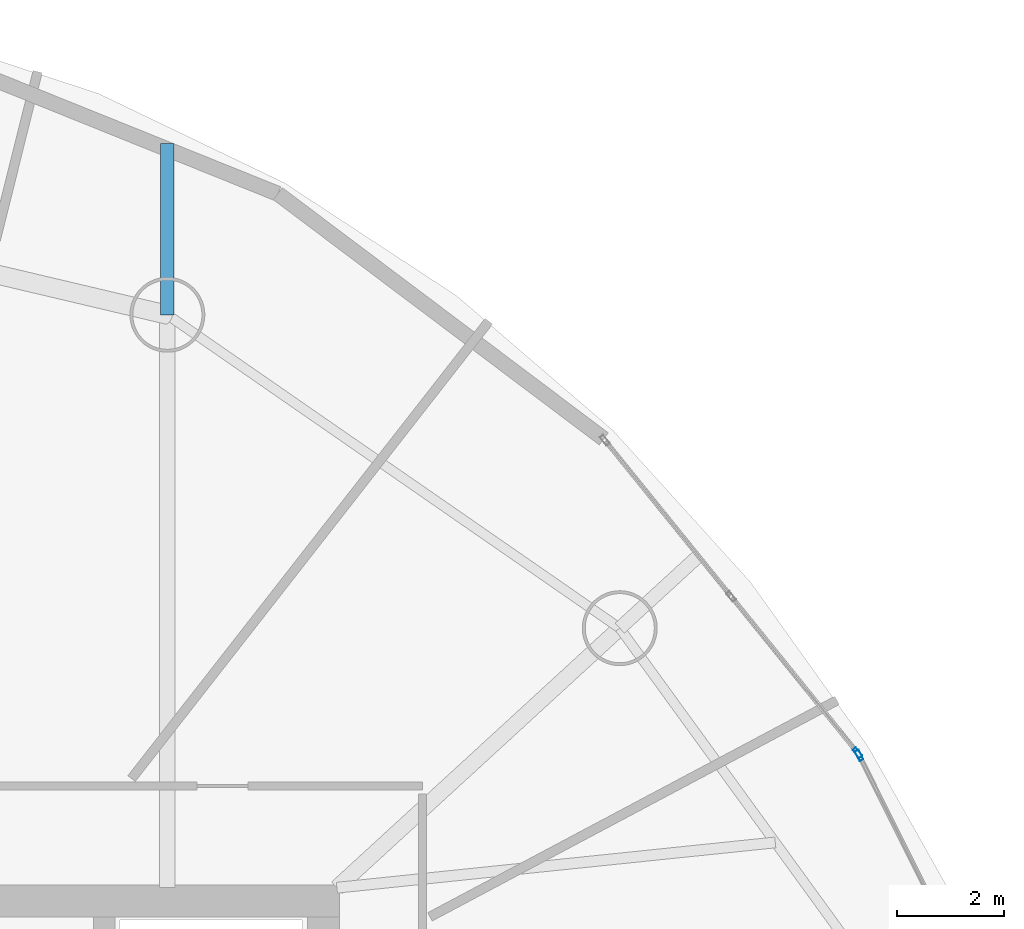
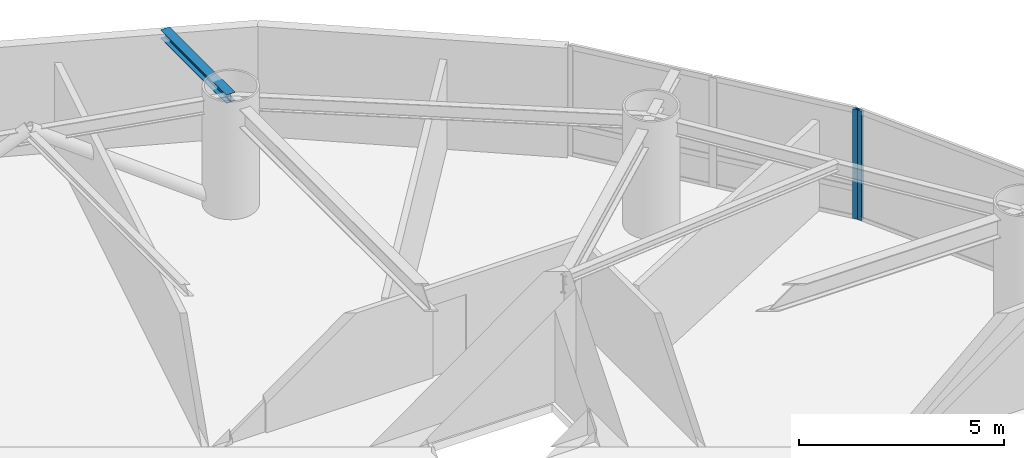
# One storey, part 16 of 24: 2 members, 1 beam, 2 elements without a shape of their own.
"""IFC4 building model written with IfcOpenShell, lengths in metres."""

from ifc_helpers import new_model, si_unit, direction, frame, origin, origin_2d, place, context, subcontext, project, spatial, hollow_rectangle, i_section, extrude, material, layer, layer_set, material_profile, profile_set, type_object, element, aggregate, save


model = new_model("IFC4")

# Units and contexts
model_context = context("Model", 3, precision=1e-05, world=origin(), true_north=direction((0.0, 1.0)))
body_context = subcontext(model_context, "Body", "Model", "MODEL_VIEW")
ifc_project = project(units=[si_unit("LENGTHUNIT", "METRE"), si_unit("AREAUNIT", "SQUARE_METRE"), si_unit("VOLUMEUNIT", "CUBIC_METRE"), si_unit("PLANEANGLEUNIT", "RADIAN"), si_unit("MASSUNIT", "GRAM", prefix="KILO")], contexts=[model_context])

# Site, building, storey
site_placement = place(None, origin())
site = spatial("IfcSite", under=ifc_project, at=site_placement, CompositionType="ELEMENT")
building_placement = place(site_placement, origin())
building = spatial("IfcBuilding", under=site, at=building_placement, Name="Bramvorn Convention Spire", CompositionType="ELEMENT")
storey_placement = place(building_placement, frame((0.0, 0.0, 148.300048828125)))
storey = spatial("IfcBuildingStorey", under=building, at=storey_placement, Name="L37", CompositionType="ELEMENT", Elevation=148.300048828125)

# Beam
ifc_material_1 = material(Name="Steel CSA G40.21 Grade 350 (350W)", Category="steel")
ifc_material_profile_1 = material_profile(ifc_material_1, i_section(OverallWidth=0.25390625, OverallDepth=0.2529296875, WebThickness=0.008544921875, FlangeThickness=0.01416015625, FilletRadius=0.011962890625, at=origin_2d()))
ifc_profile_set_1 = profile_set([ifc_material_profile_1], Name="Steel CSA G40.21 Grade 350 (350W) - W250X73")
beam_type = type_object("IfcBeamType", Name="BM-W250X73", PredefinedType="BEAM", material=ifc_profile_set_1)
beam_placement = place(storey_placement, frame((46.082763671875, 44.154052734375, 3.133544921875), z_axis=(0.0, 1.0, 0.0), x_axis=(-1.0, 0.0, 0.0)))
element("IfcBeam", 1, at=beam_placement, inside=storey, type_object=beam_type, Name="L37 slab-edge cantilever tip beam MC05", PredefinedType="BEAM", context=body_context, shape_type="SweptSolid", body=[
    extrude(i_section(OverallWidth=0.25390625, OverallDepth=0.2529296875, WebThickness=0.008544921875, FlangeThickness=0.01416015625, FilletRadius=0.011962890625, at=origin_2d()), origin(), (0.0, 0.0, 1.0), 3.199951171875),
])

# Curtain wall, member
ifc_material_2 = material(Name="Anodised Bronze Unitised Curtain Wall", Category="aluminium")
ifc_layer = layer(ifc_material_2, 0.179931640625)
ifc_layer_set = layer_set([ifc_layer], Name="Anodised Bronze Unitised Curtain Wall - CW-HTL-FRIT")
curtain_wall_type = type_object("IfcCurtainWallType", Name="CW-HTL-FRIT", PredefinedType="USERDEFINED", material=ifc_layer_set)
curtain_wall_1_placement = place(storey_placement, origin())
curtain_wall_1 = element("IfcCurtainWall", 2, at=curtain_wall_1_placement, inside=storey, type_object=curtain_wall_type, Name="L37 fritted glass curtain wall 04", ObjectType="UNITISED CURTAIN WALL", PredefinedType="USERDEFINED")
ifc_material_3 = material(Name="Anodised Bronze Aluminium 6063-T6", Category="aluminium")
ifc_material_profile_2 = material_profile(ifc_material_3, hollow_rectangle(XDim=0.080078125, YDim=0.199951171875, WallThickness=0.00390625, InnerFilletRadius=0.0009765625, OuterFilletRadius=0.00390625, at=origin_2d()))
ifc_profile_set_2 = profile_set([ifc_material_profile_2], Name="Anodised Bronze Aluminium 6063-T6 - CWM80X200")
member_type = type_object("IfcMemberType", Name="CW-MUL-180", PredefinedType="MULLION", material=ifc_profile_set_2)
member_1_placement = place(storey_placement, frame((59.008056640625, 35.922607421875, 0.0), z_axis=(0.0, 0.0, 1.0), x_axis=(0.89474787025, 0.446571661308, 0.0)))
member_1 = element("IfcMember", 3, at=member_1_placement, type_object=member_type, Name="CW2 mullion 1", PredefinedType="MULLION", context=body_context, shape_type="SweptSolid", body=[
    extrude(hollow_rectangle(XDim=0.080078125, YDim=0.199951171875, WallThickness=0.00390625, InnerFilletRadius=0.0009765625, OuterFilletRadius=0.00390625, at=origin_2d()), origin(), (0.0, 0.0, 1.0), 3.260009765625),
])
aggregate(curtain_wall_1, [member_1])

curtain_wall_2_placement = place(storey_placement, origin())
curtain_wall_2 = element("IfcCurtainWall", 4, at=curtain_wall_2_placement, inside=storey, type_object=curtain_wall_type, Name="L37 fritted glass curtain wall 05", ObjectType="UNITISED CURTAIN WALL", PredefinedType="USERDEFINED")
member_2_placement = place(storey_placement, frame((58.975830078125, 35.97265625, 0.0), z_axis=(0.0, 0.0, 1.0), x_axis=(0.777688019181, 0.628650415431, 0.0)))
member_2 = element("IfcMember", 5, at=member_2_placement, type_object=member_type, Name="CW2 mullion 3", PredefinedType="MULLION", context=body_context, shape_type="SweptSolid", body=[
    extrude(hollow_rectangle(XDim=0.080078125, YDim=0.199951171875, WallThickness=0.00390625, InnerFilletRadius=0.0009765625, OuterFilletRadius=0.00390625, at=origin_2d()), origin(), (0.0, 0.0, 1.0), 3.260009765625),
])
aggregate(curtain_wall_2, [member_2])

save(model, "model.ifc")
